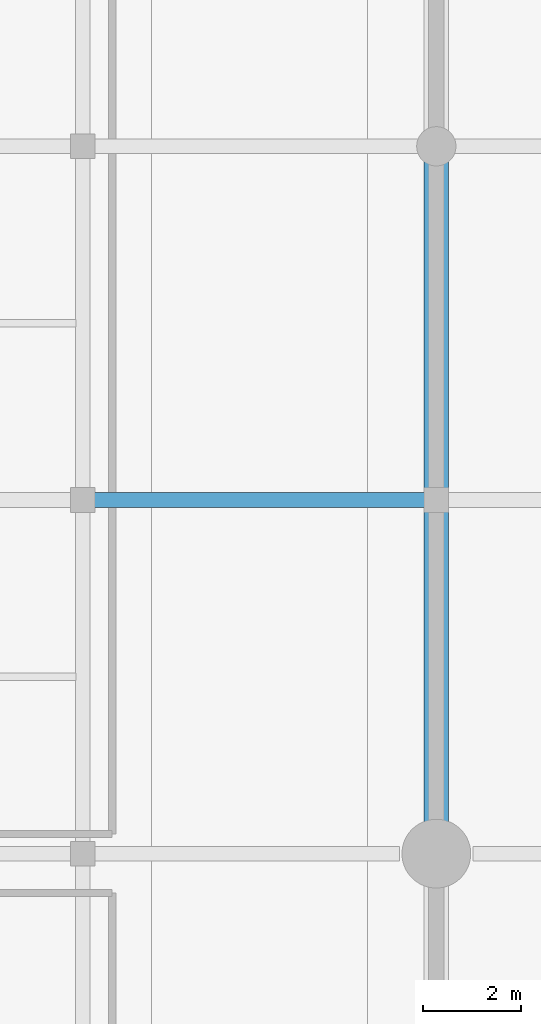
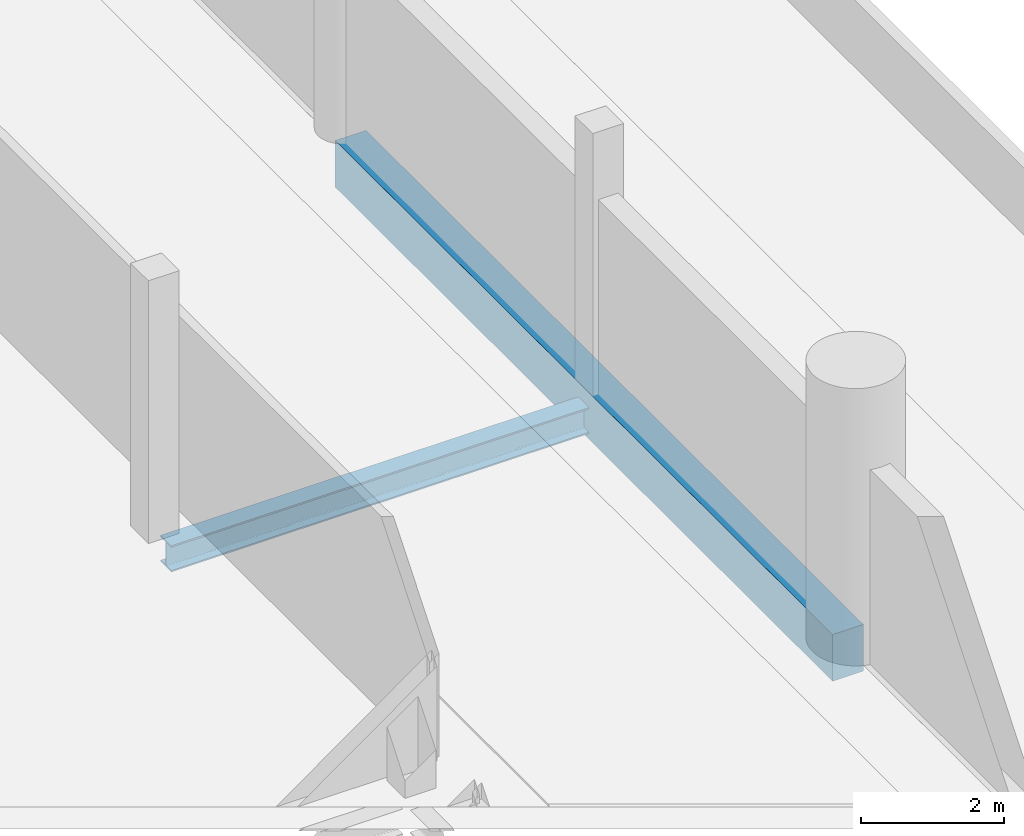
# One storey, part 18 of 64: 2 beams.
"""IFC4 building model written with IfcOpenShell, lengths in metres."""

import ifcopenshell
import ifcopenshell.guid

model = None  # the IFC model being written
_history = None  # IfcOwnerHistory: only IFC2X3 demands one
_inside = {}  # id of a spatial element -> (the spatial element, [elements in it])
_under = {}  # id of a project, library or spatial element -> (it, [spatial elements below it])
_declared = {}  # id of a project -> (the project, [libraries it declares])
_typed = {}  # id of a type object -> (the type object, [elements of that type])
_made_of = {}  # id of a material, layer set ... -> (it, [elements and type objects made of it])


def new_model(schema):
    """Start an empty IFC model of exactly this schema.

    Asked for "IFC4X3", IfcOpenShell would pick the latest addendum, in which some entities
    have other attributes; the version numbers below select the first issue.
    IFC2X3 requires an IfcOwnerHistory on every rooted entity: one is made here for all.
    """
    global model, _history
    if schema == "IFC4X3":
        model = ifcopenshell.file(schema_version=(4, 3, 0, 0))
    else:
        model = ifcopenshell.file(schema=schema)
    _inside.clear()
    _under.clear()
    _declared.clear()
    _typed.clear()
    _made_of.clear()
    _history = None
    if model.schema == "IFC2X3":
        org = make("IfcOrganization", Name="unknown")
        user = make(
            "IfcPersonAndOrganization",
            ThePerson=make("IfcPerson", FamilyName="unknown"),
            TheOrganization=org,
        )
        app = make(
            "IfcApplication",
            ApplicationDeveloper=org,
            Version="unknown",
            ApplicationFullName="unknown",
            ApplicationIdentifier="unknown",
        )
        _history = make(
            "IfcOwnerHistory",
            OwningUser=user,
            OwningApplication=app,
            ChangeAction="ADDED",
            CreationDate=0,
        )
    return model


def make(cls, **values):
    """One entity of the class cls with the attributes given. An attribute that is None is left unset."""
    return model.create_entity(
        cls, **{name: value for name, value in values.items() if value is not None}
    )


def rooted(cls, **values):
    """An entity with a GlobalId (a new one), such as an element, a storey or a relation."""
    return make(cls, GlobalId=ifcopenshell.guid.new(), OwnerHistory=_history, **values)


def si_unit(unit_type, name, prefix=None):
    """IfcSIUnit, for example si_unit("LENGTHUNIT", "METRE", prefix="MILLI")."""
    return make("IfcSIUnit", UnitType=unit_type, Prefix=prefix, Name=name)


def assignment(units):
    """IfcUnitAssignment: the units of a project."""
    return None if units is None else make("IfcUnitAssignment", Units=units)


def point(xyz):
    """IfcCartesianPoint."""
    return None if xyz is None else make("IfcCartesianPoint", Coordinates=xyz)


def direction(xyz):
    """IfcDirection."""
    return None if xyz is None else make("IfcDirection", DirectionRatios=xyz)


def frame(location, z_axis=None, x_axis=None):
    """IfcAxis2Placement3D, a coordinate frame: its origin and axes. An axis left out is left unset."""
    return make(
        "IfcAxis2Placement3D",
        Location=point(location),
        Axis=direction(z_axis),
        RefDirection=direction(x_axis),
    )


def frame_2d(location, x_axis=None):
    """IfcAxis2Placement2D, a coordinate frame in the plane: its origin and x axis."""
    return make(
        "IfcAxis2Placement2D", Location=point(location), RefDirection=direction(x_axis)
    )


def origin():
    """The frame at (0, 0, 0) with its axes left unset."""
    return frame((0.0, 0.0, 0.0))


def origin_2d():
    """The frame at (0, 0) in the plane with its x axis left unset."""
    return frame_2d((0.0, 0.0))


def place(relative_to, where):
    """IfcLocalPlacement: puts the frame where relative to a parent placement (None: the world)."""
    return make(
        "IfcLocalPlacement", PlacementRelTo=relative_to, RelativePlacement=where
    )


def context(
    kind, dimensions, precision=None, world=None, true_north=None, identifier=None
):
    """IfcGeometricRepresentationContext, for example the 3D "Model" context."""
    return make(
        "IfcGeometricRepresentationContext",
        ContextIdentifier=identifier,
        ContextType=kind,
        CoordinateSpaceDimension=dimensions,
        Precision=precision,
        WorldCoordinateSystem=world,
        TrueNorth=true_north,
    )


def subcontext(parent, identifier, kind, view, scale=None):
    """IfcGeometricRepresentationSubContext, for example "Body" below "Model"."""
    return make(
        "IfcGeometricRepresentationSubContext",
        ContextIdentifier=identifier,
        ContextType=kind,
        ParentContext=parent,
        TargetScale=scale,
        TargetView=view,
    )


def project(units=None, contexts=None):
    """IfcProject with its units and contexts."""
    return rooted(
        "IfcProject",
        Name="project",
        RepresentationContexts=contexts,
        UnitsInContext=assignment(units),
    )


def spatial(cls, under=None, at=None, **own):
    """A site, building, storey or space (cls), placed at a placement, below another one or the project."""
    s = rooted(cls, ObjectPlacement=at, **own)
    if under is not None:
        _under.setdefault(under.id(), (under, []))[1].append(s)
    return s


def profile(cls, at=None, kind="AREA", **sizes):
    """A parametric profile (cls). Its sizes go by their IFC names, for example OverallWidth=200.0."""
    return make(cls, ProfileType=kind, Position=at, **sizes)


def rectangle(**sizes):
    """IfcRectangleProfileDef."""
    return profile("IfcRectangleProfileDef", **sizes)


def i_section(**sizes):
    """IfcIShapeProfileDef."""
    return profile("IfcIShapeProfileDef", **sizes)


def extrude(swept, where, along, depth):
    """IfcExtrudedAreaSolid: the profile swept, set in the frame where, extruded along a direction by depth."""
    return make(
        "IfcExtrudedAreaSolid",
        SweptArea=swept,
        Position=where,
        ExtrudedDirection=direction(along),
        Depth=depth,
    )


def shape(context_of_items, identifier, shape_type, items):
    """IfcShapeRepresentation: the items that make up one representation, for example the "Body"."""
    return make(
        "IfcShapeRepresentation",
        ContextOfItems=context_of_items,
        RepresentationIdentifier=identifier,
        RepresentationType=shape_type,
        Items=items,
    )


def material(Name=None, Category=None):
    """IfcMaterial."""
    return make("IfcMaterial", Name=Name, Category=Category)


def material_profile(
    of_material, cross_section, Name=None, Category=None, Priority=None
):
    """IfcMaterialProfile: a cross section and its material."""
    return make(
        "IfcMaterialProfile",
        Name=Name,
        Material=of_material,
        Profile=cross_section,
        Priority=Priority,
        Category=Category,
    )


def profile_set(profiles, Name=None, composite=None):
    """IfcMaterialProfileSet."""
    return make(
        "IfcMaterialProfileSet",
        Name=Name,
        MaterialProfiles=profiles,
        CompositeProfile=composite,
    )


def made_of(thing, what):
    """Note that an element or type object is made of a material, layer set ...; save() writes the relation."""
    if what is not None:
        _made_of.setdefault(what.id(), (what, []))[1].append(thing)
    return thing


def type_object(cls, material=None, **own):
    """A type object (cls), such as IfcWallType, which elements share."""
    return made_of(rooted(cls, **own), material)


def element(
    cls,
    number,
    at=None,
    inside=None,
    cuts=None,
    type_object=None,
    material=None,
    context=None,
    identifier="Body",
    shape_type=None,
    held_by="IfcProductDefinitionShape",
    body=None,
    shapes=None,
    **own,
):
    """One element of the class cls, such as IfcWall. Its Tag is "e" and its number.

    at: its placement. inside: the storey or other place that contains it. cuts: it is an
    opening in that element (IfcRelVoidsElement). A single representation is given by context,
    identifier, shape_type and body (its items); several are given by shapes. held_by: the class
    of the entity that holds the representations. save() writes the other relations.
    """
    e = rooted(cls, Tag="e%d" % number, ObjectPlacement=at, **own)
    if body is not None:
        shapes = [shape(context, identifier, shape_type, body)]
    if shapes is not None:
        e.Representation = make(held_by, Representations=shapes)
    if inside is not None:
        _inside.setdefault(inside.id(), (inside, []))[1].append(e)
    if cuts is not None:
        rooted(
            "IfcRelVoidsElement", RelatingBuildingElement=cuts, RelatedOpeningElement=e
        )
    if type_object is not None:
        _typed.setdefault(type_object.id(), (type_object, []))[1].append(e)
    return made_of(e, material)


def aggregate(whole, parts):
    """IfcRelAggregates: a whole, such as a stair, and the parts it consists of."""
    return rooted("IfcRelAggregates", RelatingObject=whole, RelatedObjects=parts)


def save(model, path):
    """Write the relations noted so far, then the file.

    IfcRelAggregates (storeys below a building ...), IfcRelContainedInSpatialStructure (elements
    in a storey), IfcRelDefinesByType, IfcRelAssociatesMaterial and IfcRelDeclares: one each for
    every whole, place, type object, material and project.
    """
    for whole, parts in _under.values():
        aggregate(whole, parts)
    for where, things in _inside.values():
        rooted(
            "IfcRelContainedInSpatialStructure",
            RelatedElements=things,
            RelatingStructure=where,
        )
    for kind, things in _typed.values():
        rooted("IfcRelDefinesByType", RelatedObjects=things, RelatingType=kind)
    for what, things in _made_of.values():
        rooted("IfcRelAssociatesMaterial", RelatedObjects=things, RelatingMaterial=what)
    for by, libraries in _declared.values():
        rooted("IfcRelDeclares", RelatingContext=by, RelatedDefinitions=libraries)
    model.write(path)


model = new_model("IFC4")

# Units and contexts
model_context = context("Model", 3, precision=1e-05, world=origin(), true_north=direction((0.0, 1.0)))
body_context = subcontext(model_context, "Body", "Model", "MODEL_VIEW")
ifc_project = project(units=[si_unit("LENGTHUNIT", "METRE"), si_unit("AREAUNIT", "SQUARE_METRE"), si_unit("VOLUMEUNIT", "CUBIC_METRE"), si_unit("PLANEANGLEUNIT", "RADIAN"), si_unit("MASSUNIT", "GRAM", prefix="KILO")], contexts=[model_context])

# Site, building, storey
site_placement = place(None, origin())
site = spatial("IfcSite", under=ifc_project, at=site_placement, CompositionType="ELEMENT")
building_placement = place(site_placement, origin())
building = spatial("IfcBuilding", under=site, at=building_placement, Name="Qandorah Velis Arena", CompositionType="ELEMENT")
storey_placement = place(building_placement, frame((0.0, 0.0, 23.0)))
storey = spatial("IfcBuildingStorey", under=building, at=storey_placement, Name="L05", CompositionType="ELEMENT", Elevation=23.0)

# Beams
ifc_material_1 = material(Name="Steel S355", Category="steel")
ifc_material_profile_1 = material_profile(ifc_material_1, i_section(OverallWidth=0.300048828125, OverallDepth=0.449951171875, WebThickness=0.013916015625, FlangeThickness=0.02587890625, FilletRadius=0.027099609375, at=origin_2d()), Name="HEB 450")
ifc_profile_set_1 = profile_set([ifc_material_profile_1], Name="Steel S355")
beam_type_1 = type_object("IfcBeamType", Name="STR-BM-HEB450", PredefinedType="BEAM", material=ifc_profile_set_1)
beam_1_placement = place(storey_placement, frame((7.37841796875, 64.800048828125, -0.47509765625), z_axis=(1.0, 0.0, 0.0), x_axis=(0.0, 1.0, 0.0)))
element("IfcBeam", 1, at=beam_1_placement, inside=storey, type_object=beam_type_1, Name="Primary floor girder L05 X-057", PredefinedType="BEAM", context=body_context, shape_type="SweptSolid", body=[
    extrude(i_section(OverallWidth=0.300048828125, OverallDepth=0.449951171875, WebThickness=0.013916015625, FlangeThickness=0.02587890625, FilletRadius=0.027099609375, at=origin_2d()), origin(), (0.0, 0.0, 1.0), 6.843017578125),
])
ifc_material_2 = material(Name="Concrete C40/50", Category="concrete")
ifc_material_profile_2 = material_profile(ifc_material_2, rectangle(XDim=0.5, YDim=0.800048828125, at=origin_2d()), Name="RC BM 500x800")
ifc_profile_set_2 = profile_set([ifc_material_profile_2], Name="Concrete C40/50")
beam_type_2 = type_object("IfcBeamType", Name="STR-RCBM-500X800", PredefinedType="BEAM", material=ifc_profile_set_2)
beam_2_placement = place(storey_placement, frame((14.39990234375, 57.820068359375, -0.39990234375), z_axis=(0.0, 1.0, 0.0), x_axis=(-1.0, 0.0, 0.0)))
element("IfcBeam", 2, at=beam_2_placement, inside=storey, type_object=beam_type_2, Name="Drum west ring beam L05-4", PredefinedType="BEAM", context=body_context, shape_type="SweptSolid", body=[
    extrude(rectangle(XDim=0.5, YDim=0.800048828125, at=origin_2d()), origin(), (0.0, 0.0, 1.0), 13.9599609375),
])

save(model, "model.ifc")
